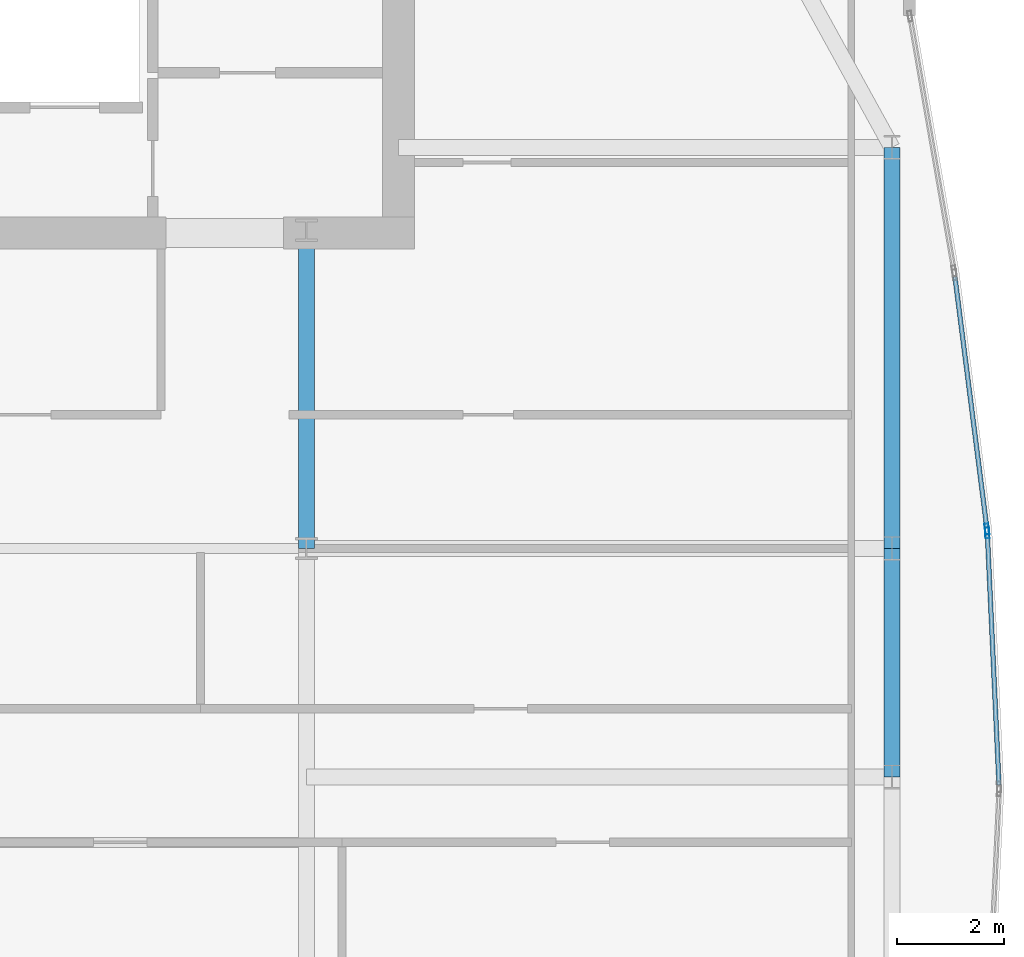
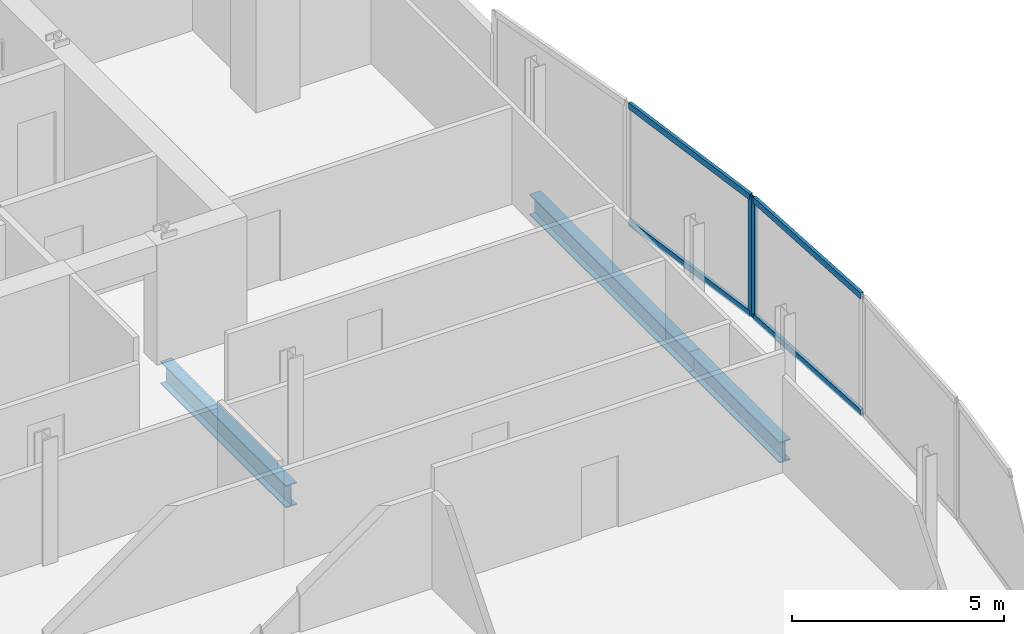
# One storey, part 19 of 30: 6 members, 3 beams, 2 elements without a shape of their own.
"""IFC4 building model written with IfcOpenShell, lengths in metres."""

from ifc_helpers import new_model, si_unit, direction, frame, origin, origin_2d, place, context, subcontext, project, spatial, hollow_rectangle, i_section, extrude, material, material_profile, profile_set, type_object, element, aggregate, save


model = new_model("IFC4")

# Units and contexts
model_context = context("Model", 3, precision=1e-05, world=origin(), true_north=direction((0.0, 1.0)))
body_context = subcontext(model_context, "Body", "Model", "MODEL_VIEW")
ifc_project = project(units=[si_unit("LENGTHUNIT", "METRE"), si_unit("AREAUNIT", "SQUARE_METRE"), si_unit("VOLUMEUNIT", "CUBIC_METRE"), si_unit("PLANEANGLEUNIT", "RADIAN"), si_unit("MASSUNIT", "GRAM", prefix="KILO")], contexts=[model_context])

# Site, building, storey
site_placement = place(None, origin())
site = spatial("IfcSite", under=ifc_project, at=site_placement, CompositionType="ELEMENT")
building_placement = place(site_placement, origin())
building = spatial("IfcBuilding", under=site, at=building_placement, Name="Khoronbel Lancet Exchange", CompositionType="ELEMENT")
storey_placement = place(building_placement, frame((0.0, 0.0, 224.60009765625)))
storey = spatial("IfcBuildingStorey", under=building, at=storey_placement, Name="L57", CompositionType="ELEMENT", Elevation=224.60009765625)

# Beams
ifc_material_1 = material(Name="Steel S355", Category="steel")
ifc_material_profile_1 = material_profile(ifc_material_1, i_section(OverallWidth=0.300048828125, OverallDepth=0.64990234375, WebThickness=0.01611328125, FlangeThickness=0.031005859375, at=origin_2d()), Name="HEB 650")
ifc_profile_set_1 = profile_set([ifc_material_profile_1], Name="Steel S355")
beam_type_1 = type_object("IfcBeamType", Name="BM-BG4", PredefinedType="BEAM", material=ifc_profile_set_1)
beam_1_placement = place(storey_placement, frame((54.675048828125, 35.699951171875, -0.485107421875), z_axis=(0.0, 1.0, 0.0), x_axis=(-1.0, 0.0, 0.0)))
element("IfcBeam", 1, at=beam_1_placement, inside=storey, type_object=beam_type_1, Name="Level L57 spine tie girder GN6", PredefinedType="BEAM", context=body_context, shape_type="SweptSolid", body=[
    extrude(i_section(OverallWidth=0.300048828125, OverallDepth=0.64990234375, WebThickness=0.01611328125, FlangeThickness=0.031005859375, at=origin_2d()), origin(), (0.0, 0.0, 1.0), 5.900146484375),
])
ifc_material_profile_2 = material_profile(ifc_material_1, i_section(OverallWidth=0.300048828125, OverallDepth=0.60009765625, WebThickness=0.015380859375, FlangeThickness=0.030029296875, at=origin_2d()), Name="HEB 600")
ifc_profile_set_2 = profile_set([ifc_material_profile_2], Name="Steel S355")
beam_type_2 = type_object("IfcBeamType", Name="BM-BSP2", PredefinedType="SPANDREL", material=ifc_profile_set_2)
beam_2_placement = place(storey_placement, frame((65.6298828125, 31.425048828125, -0.460205078125), z_axis=(0.0, 1.0, 0.0), x_axis=(-1.0, 0.0, 0.0)))
element("IfcBeam", 2, at=beam_2_placement, inside=storey, type_object=beam_type_2, Name="Level L57 perimeter spandrel beam SP13", PredefinedType="SPANDREL", context=body_context, shape_type="SweptSolid", body=[
    extrude(i_section(OverallWidth=0.300048828125, OverallDepth=0.60009765625, WebThickness=0.015380859375, FlangeThickness=0.030029296875, at=origin_2d()), origin(), (0.0, 0.0, 1.0), 4.27490234375),
])
beam_3_placement = place(storey_placement, frame((65.6298828125, 35.699951171875, -0.460205078125), z_axis=(0.0, 1.0, 0.0), x_axis=(-1.0, 0.0, 0.0)))
element("IfcBeam", 3, at=beam_3_placement, inside=storey, type_object=beam_type_2, Name="Level L57 perimeter spandrel beam SP14", PredefinedType="SPANDREL", context=body_context, shape_type="SweptSolid", body=[
    extrude(i_section(OverallWidth=0.300048828125, OverallDepth=0.60009765625, WebThickness=0.015380859375, FlangeThickness=0.030029296875, at=origin_2d()), origin(), (0.0, 0.0, 1.0), 7.5),
])

# Curtain wall, member
ifc_material_2 = material(Name="Low-E Solar Control Insulating Glass", Category="glass")
curtain_wall_type = type_object("IfcCurtainWallType", Name="CW-4", PredefinedType="NOTDEFINED", material=ifc_material_2)
curtain_wall_1_placement = place(storey_placement, origin())
curtain_wall_1 = element("IfcCurtainWall", 4, at=curtain_wall_1_placement, inside=storey, type_object=curtain_wall_type, Name="Unitised curtain wall CW-L57-E18", PredefinedType="NOTDEFINED")
ifc_material_3 = material(Name="Bronze-Anodised Aluminium 6063-T6", Category="aluminium")
ifc_material_profile_3 = material_profile(ifc_material_3, hollow_rectangle(XDim=0.074951171875, YDim=0.199951171875, WallThickness=0.0048828125, at=origin_2d()), Name="ALU MULLION 75x200")
ifc_profile_set_3 = profile_set([ifc_material_profile_3], Name="Bronze-Anodised Aluminium 6063-T6")
member_type_1 = type_object("IfcMemberType", Name="MEM-CWM2", PredefinedType="MULLION", material=ifc_profile_set_3)
member_1_placement = place(storey_placement, frame((67.406982421875, 36.062744140625, 0.0), z_axis=(0.0, 0.0, 1.0), x_axis=(0.992040249604, 0.125921178381, 0.0)))
member_1 = element("IfcMember", 5, at=member_1_placement, type_object=member_type_1, Name="CW4 mullion 2", PredefinedType="MULLION", context=body_context, shape_type="SweptSolid", body=[
    extrude(hollow_rectangle(XDim=0.074951171875, YDim=0.199951171875, WallThickness=0.0048828125, at=origin_2d()), origin(), (0.0, 0.0, 1.0), 3.43994140625),
])

curtain_wall_2_placement = place(storey_placement, origin())
curtain_wall_2 = element("IfcCurtainWall", 6, at=curtain_wall_2_placement, inside=storey, type_object=curtain_wall_type, Name="Unitised curtain wall CW-L57-E19", PredefinedType="NOTDEFINED")
member_2_placement = place(storey_placement, frame((67.41357421875, 35.988037109375, 0.0), z_axis=(0.0, 0.0, 1.0), x_axis=(0.998923368026, 0.046390783703, 0.0)))
member_2 = element("IfcMember", 7, at=member_2_placement, type_object=member_type_1, Name="CW4 mullion 1", PredefinedType="MULLION", context=body_context, shape_type="SweptSolid", body=[
    extrude(hollow_rectangle(XDim=0.074951171875, YDim=0.199951171875, WallThickness=0.0048828125, at=origin_2d()), origin(), (0.0, 0.0, 1.0), 3.43994140625),
])

# Member
ifc_material_profile_4 = material_profile(ifc_material_3, hollow_rectangle(XDim=0.0849609375, YDim=0.179931640625, WallThickness=0.0048828125, at=origin_2d()), Name="ALU TRANSOM 85x180")
ifc_profile_set_4 = profile_set([ifc_material_profile_4], Name="Bronze-Anodised Aluminium 6063-T6")
member_type_2 = type_object("IfcMemberType", Name="MEM-CWT1", PredefinedType="USERDEFINED", material=ifc_profile_set_4)
member_3_placement = place(storey_placement, frame((66.808349609375, 40.77880859375, 0.04248046875), z_axis=(0.125939384523, -0.992037938501, 0.0), x_axis=(0.992037938501, 0.125939384523, 0.0)))
member_3 = element("IfcMember", 8, at=member_3_placement, type_object=member_type_2, Name="CW4 transom 1.1", ObjectType="TRANSOM", PredefinedType="USERDEFINED", context=body_context, shape_type="SweptSolid", body=[
    extrude(hollow_rectangle(XDim=0.0849609375, YDim=0.179931640625, WallThickness=0.0048828125, at=origin_2d()), origin(), (0.0, 0.0, 1.0), 4.716552734375),
])

member_4_placement = place(storey_placement, frame((66.808349609375, 40.77880859375, 3.3974609375), z_axis=(0.125939384523, -0.992037938501, 0.0), x_axis=(0.992037938501, 0.125939384523, 0.0)))
member_4 = element("IfcMember", 9, at=member_4_placement, type_object=member_type_2, Name="CW4 transom 1.2", ObjectType="TRANSOM", PredefinedType="USERDEFINED", context=body_context, shape_type="SweptSolid", body=[
    extrude(hollow_rectangle(XDim=0.0849609375, YDim=0.179931640625, WallThickness=0.0048828125, at=origin_2d()), origin(), (0.0, 0.0, 1.0), 4.716552734375),
])

aggregate(curtain_wall_1, [member_1, member_3, member_4])

member_5_placement = place(storey_placement, frame((67.415283203125, 35.95068359375, 0.04248046875), z_axis=(0.046368202081, -0.998924416478, 0.0), x_axis=(0.998924416478, 0.046368202081, 0.0)))
member_5 = element("IfcMember", 10, at=member_5_placement, type_object=member_type_2, Name="CW4 transom 1.1", ObjectType="TRANSOM", PredefinedType="USERDEFINED", context=body_context, shape_type="SweptSolid", body=[
    extrude(hollow_rectangle(XDim=0.0849609375, YDim=0.179931640625, WallThickness=0.0048828125, at=origin_2d()), origin(), (0.0, 0.0, 1.0), 4.680908203125),
])

member_6_placement = place(storey_placement, frame((67.415283203125, 35.95068359375, 3.3974609375), z_axis=(0.046368202081, -0.998924416478, 0.0), x_axis=(0.998924416478, 0.046368202081, 0.0)))
member_6 = element("IfcMember", 11, at=member_6_placement, type_object=member_type_2, Name="CW4 transom 1.2", ObjectType="TRANSOM", PredefinedType="USERDEFINED", context=body_context, shape_type="SweptSolid", body=[
    extrude(hollow_rectangle(XDim=0.0849609375, YDim=0.179931640625, WallThickness=0.0048828125, at=origin_2d()), origin(), (0.0, 0.0, 1.0), 4.680908203125),
])

aggregate(curtain_wall_2, [member_2, member_5, member_6])

save(model, "model.ifc")
